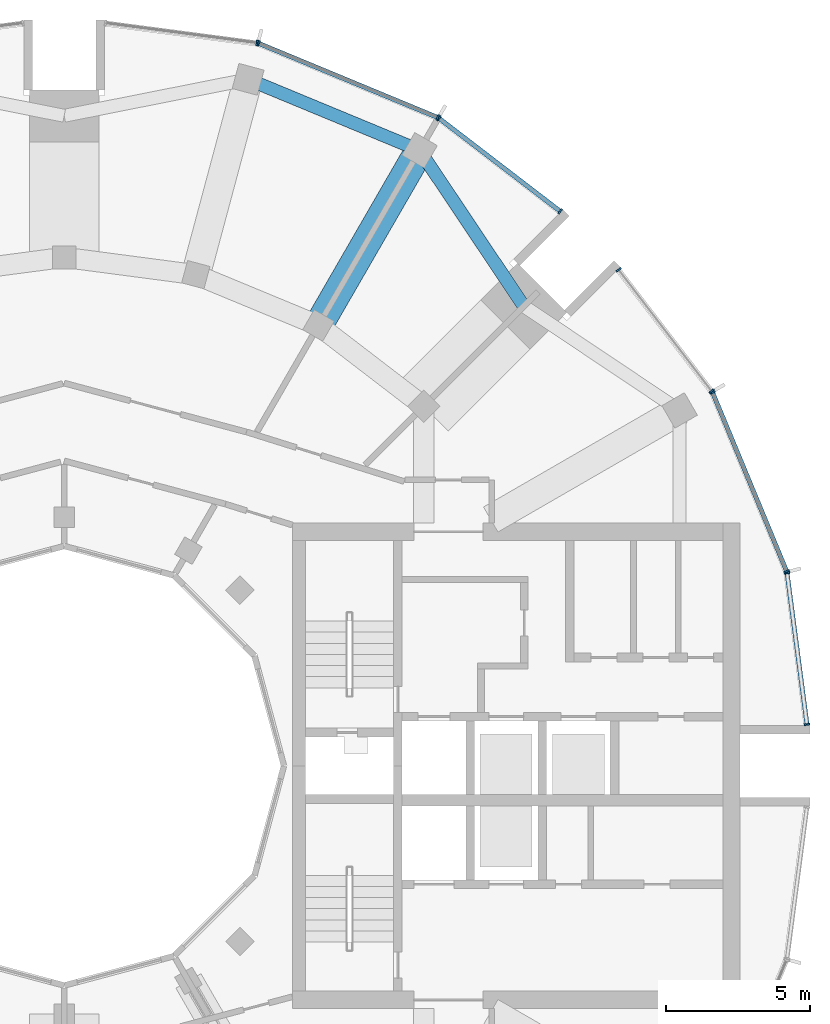
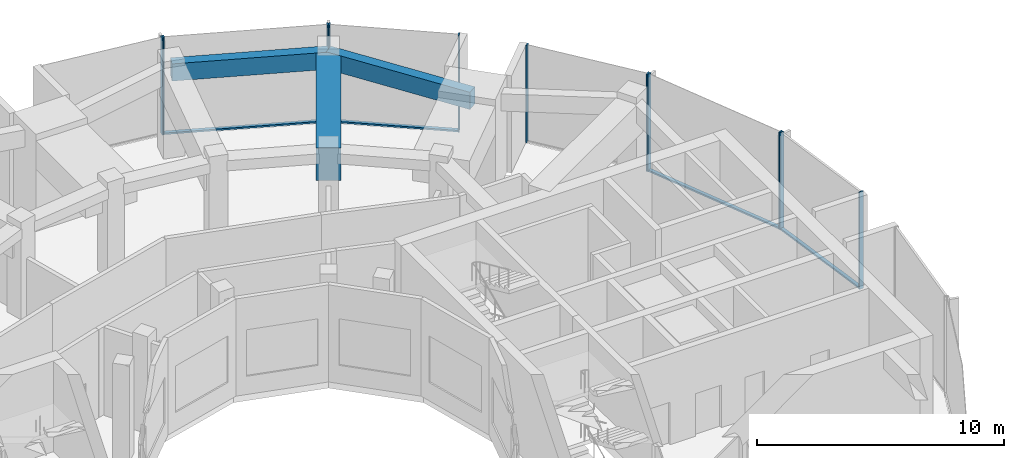
# One storey, part 8 of 17: 15 members, 3 beams, 6 elements without a shape of their own.
"""IFC4 building model written with IfcOpenShell, lengths in metres."""

from ifc_helpers import new_model, si_unit, direction, frame, origin, origin_2d, place, context, subcontext, project, spatial, rectangle, extrude, material, layer, layer_set, material_profile, profile_set, type_object, element, aggregate, save


model = new_model("IFC4")

# Units and contexts
model_context = context("Model", 3, precision=1e-05, world=origin(), true_north=direction((0.0, 1.0)))
body_context = subcontext(model_context, "Body", "Model", "MODEL_VIEW")
ifc_project = project(units=[si_unit("LENGTHUNIT", "METRE"), si_unit("AREAUNIT", "SQUARE_METRE"), si_unit("VOLUMEUNIT", "CUBIC_METRE"), si_unit("PLANEANGLEUNIT", "RADIAN"), si_unit("MASSUNIT", "GRAM", prefix="KILO")], contexts=[model_context])

# Site, building, storey
site_placement = place(None, origin())
site = spatial("IfcSite", under=ifc_project, at=site_placement, CompositionType="ELEMENT")
building_placement = place(site_placement, origin())
building = spatial("IfcBuilding", under=site, at=building_placement, Name="Torre Brocal", CompositionType="ELEMENT")
storey_placement = place(building_placement, frame((0.0, 0.0, 270.89990234375)))
storey = spatial("IfcBuildingStorey", under=building, at=storey_placement, Name="L62", CompositionType="ELEMENT", Elevation=270.89990234375)

# Curtain wall, members
ifc_material_1 = material(Name="Aluminium and glass", Category="aluminium")
ifc_layer_1 = layer(ifc_material_1, 0.199951171875)
ifc_layer_set_1 = layer_set([ifc_layer_1], Name="Aluminium and glass")
curtain_wall_type_1 = type_object("IfcCurtainWallType", Name="CW-1 CURTAIN WALL 4800 HIGH", PredefinedType="NOTDEFINED", material=ifc_layer_set_1)
curtain_wall_1_placement = place(storey_placement, origin())
curtain_wall_1 = element("IfcCurtainWall", 1, at=curtain_wall_1_placement, inside=storey, type_object=curtain_wall_type_1, Name="CW-1 RUN 2", PredefinedType="NOTDEFINED")
ifc_material_2 = material(Name="Aluminium, dark anodised", Category="aluminium")
ifc_material_profile_1 = material_profile(ifc_material_2, rectangle(XDim=0.199951171875, YDim=0.06005859375, at=origin_2d()), Name="CW-1 MULLION 60X200")
ifc_profile_set_1 = profile_set([ifc_material_profile_1], Name="Aluminium, dark anodised")
member_type_1 = type_object("IfcMemberType", Name="CW-1 MULLION 60X200", PredefinedType="MULLION", material=ifc_profile_set_1)
member_1_placement = place(storey_placement, frame((105.005126953125, 81.73095703125, 0.0), z_axis=(0.0, 0.0, 1.0), x_axis=(-0.923879532525, -0.382683432333, 0.0)))
member_1 = element("IfcMember", 2, at=member_1_placement, type_object=member_type_1, Name="CW1-7 mullion 1", PredefinedType="MULLION", context=body_context, shape_type="SweptSolid", body=[
    extrude(rectangle(XDim=0.199951171875, YDim=0.06005859375, at=origin_2d()), origin(), (0.0, 0.0, 1.0), 4.800048828125),
])
member_2_placement = place(storey_placement, frame((102.440673828125, 87.921875, 0.0), z_axis=(0.0, 0.0, 1.0), x_axis=(-0.923879532525, -0.382683432333, 0.0)))
member_2 = element("IfcMember", 3, at=member_2_placement, type_object=member_type_1, Name="CW1-7 mullion 2", PredefinedType="MULLION", context=body_context, shape_type="SweptSolid", body=[
    extrude(rectangle(XDim=0.199951171875, YDim=0.06005859375, at=origin_2d()), origin(), (0.0, 0.0, 1.0), 4.800048828125),
])

curtain_wall_2_placement = place(storey_placement, origin())
curtain_wall_2 = element("IfcCurtainWall", 4, at=curtain_wall_2_placement, inside=storey, type_object=curtain_wall_type_1, Name="CW-1 RUN 3", PredefinedType="NOTDEFINED")
member_3_placement = place(storey_placement, frame((102.4111328125, 87.973388671875, 0.0), z_axis=(0.0, 0.0, 1.0), x_axis=(-0.793353340259, -0.60876142905, 0.0)))
member_3 = element("IfcMember", 5, at=member_3_placement, type_object=member_type_1, Name="CW1-7 mullion 1", PredefinedType="MULLION", context=body_context, shape_type="SweptSolid", body=[
    extrude(rectangle(XDim=0.199951171875, YDim=0.06005859375, at=origin_2d()), origin(), (0.0, 0.0, 1.0), 4.800048828125),
])
member_4_placement = place(storey_placement, frame((99.19140625, 92.16943359375, 0.0), z_axis=(0.0, 0.0, 1.0), x_axis=(-0.793353340259, -0.60876142905, 0.0)))
member_4 = element("IfcMember", 6, at=member_4_placement, type_object=member_type_1, Name="CW1-7 mullion 2", PredefinedType="MULLION", context=body_context, shape_type="SweptSolid", body=[
    extrude(rectangle(XDim=0.199951171875, YDim=0.06005859375, at=origin_2d()), origin(), (0.0, 0.0, 1.0), 4.800048828125),
])
aggregate(curtain_wall_2, [member_3, member_4])

curtain_wall_3_placement = place(storey_placement, origin())
curtain_wall_3 = element("IfcCurtainWall", 7, at=curtain_wall_3_placement, inside=storey, type_object=curtain_wall_type_1, Name="CW-1 RUN 4", PredefinedType="NOTDEFINED")
member_5_placement = place(storey_placement, frame((97.16943359375, 94.19140625, 0.0), z_axis=(0.0, 0.0, 1.0), x_axis=(-0.60876142905, -0.793353340259, 0.0)))
member_5 = element("IfcMember", 8, at=member_5_placement, type_object=member_type_1, Name="CW1-7 mullion 1", PredefinedType="MULLION", context=body_context, shape_type="SweptSolid", body=[
    extrude(rectangle(XDim=0.199951171875, YDim=0.06005859375, at=origin_2d()), origin(), (0.0, 0.0, 1.0), 4.800048828125),
])
member_6_placement = place(storey_placement, frame((92.973388671875, 97.4111328125, 0.0), z_axis=(0.0, 0.0, 1.0), x_axis=(-0.60876142905, -0.793353340259, 0.0)))
member_6 = element("IfcMember", 9, at=member_6_placement, type_object=member_type_1, Name="CW1-7 mullion 2", PredefinedType="MULLION", context=body_context, shape_type="SweptSolid", body=[
    extrude(rectangle(XDim=0.199951171875, YDim=0.06005859375, at=origin_2d()), origin(), (0.0, 0.0, 1.0), 4.800048828125),
])

curtain_wall_4_placement = place(storey_placement, origin())
curtain_wall_4 = element("IfcCurtainWall", 10, at=curtain_wall_4_placement, inside=storey, type_object=curtain_wall_type_1, Name="CW-1 RUN 5", PredefinedType="NOTDEFINED")
member_7_placement = place(storey_placement, frame((92.921875, 97.440673828125, 0.0), z_axis=(0.0, 0.0, 1.0), x_axis=(-0.382683432333, -0.923879532525, 0.0)))
member_7 = element("IfcMember", 11, at=member_7_placement, type_object=member_type_1, Name="CW1-7 mullion 1", PredefinedType="MULLION", context=body_context, shape_type="SweptSolid", body=[
    extrude(rectangle(XDim=0.199951171875, YDim=0.06005859375, at=origin_2d()), origin(), (0.0, 0.0, 1.0), 4.800048828125),
])
member_8_placement = place(storey_placement, frame((86.73095703125, 100.005126953125, 0.0), z_axis=(0.0, 0.0, 1.0), x_axis=(-0.382683432333, -0.923879532525, 0.0)))
member_8 = element("IfcMember", 12, at=member_8_placement, type_object=member_type_1, Name="CW1-7 mullion 2", PredefinedType="MULLION", context=body_context, shape_type="SweptSolid", body=[
    extrude(rectangle(XDim=0.199951171875, YDim=0.06005859375, at=origin_2d()), origin(), (0.0, 0.0, 1.0), 4.800048828125),
])

# Curtain wall, member
curtain_wall_5_placement = place(storey_placement, origin())
curtain_wall_5 = element("IfcCurtainWall", 13, at=curtain_wall_5_placement, inside=storey, type_object=curtain_wall_type_1, Name="CW-1 RUN 6", PredefinedType="NOTDEFINED")
member_9_placement = place(storey_placement, frame((86.67333984375, 100.0205078125, 0.0), z_axis=(0.0, 0.0, 1.0), x_axis=(-0.13052619222, -0.991444861374, 0.0)))
member_9 = element("IfcMember", 14, at=member_9_placement, type_object=member_type_1, Name="CW1-7 mullion 1", PredefinedType="MULLION", context=body_context, shape_type="SweptSolid", body=[
    extrude(rectangle(XDim=0.199951171875, YDim=0.06005859375, at=origin_2d()), origin(), (0.0, 0.0, 1.0), 4.800048828125),
])
aggregate(curtain_wall_5, [member_9])

# Member
ifc_material_3 = material(Name="Aluminium, dark anodised", Category="aluminium")
ifc_material_profile_2 = material_profile(ifc_material_3, rectangle(XDim=0.159912109375, YDim=0.080078125, at=origin_2d()), Name="CW-1 TRANSOM 160X80")
ifc_profile_set_2 = profile_set([ifc_material_profile_2], Name="Aluminium, dark anodised")
member_type_2 = type_object("IfcMemberType", Name="CW-1 TRANSOM 160X80", PredefinedType="USERDEFINED", material=ifc_profile_set_2)
member_10_placement = place(storey_placement, frame((104.99365234375, 81.758544921875, 0.0400390625), z_axis=(-0.38266457234, 0.923887344364, 0.0), x_axis=(-0.923887344364, -0.38266457234, 0.0)))
member_10 = element("IfcMember", 15, at=member_10_placement, type_object=member_type_2, Name="CW1-7 transom 1.1", ObjectType="TRANSOM", PredefinedType="USERDEFINED", context=body_context, shape_type="SweptSolid", body=[
    extrude(rectangle(XDim=0.159912109375, YDim=0.080078125, at=origin_2d()), origin(), (0.0, 0.0, 1.0), 6.640869140625),
])

aggregate(curtain_wall_1, [member_1, member_2, member_10])

member_11_placement = place(storey_placement, frame((97.1455078125, 94.209716796875, 0.0400390625), z_axis=(-0.79336281513, 0.60874908096, 0.0), x_axis=(-0.60874908096, -0.79336281513, 0.0)))
member_11 = element("IfcMember", 16, at=member_11_placement, type_object=member_type_2, Name="CW1-7 transom 1.1", ObjectType="TRANSOM", PredefinedType="USERDEFINED", context=body_context, shape_type="SweptSolid", body=[
    extrude(rectangle(XDim=0.159912109375, YDim=0.080078125, at=origin_2d()), origin(), (0.0, 0.0, 1.0), 5.22900390625),
])

aggregate(curtain_wall_3, [member_5, member_6, member_11])

member_12_placement = place(storey_placement, frame((92.89404296875, 97.452392578125, 0.0400390625), z_axis=(-0.923887344364, 0.38266457234, 0.0), x_axis=(-0.38266457234, -0.923887344364, 0.0)))
member_12 = element("IfcMember", 17, at=member_12_placement, type_object=member_type_2, Name="CW1-7 transom 1.1", ObjectType="TRANSOM", PredefinedType="USERDEFINED", context=body_context, shape_type="SweptSolid", body=[
    extrude(rectangle(XDim=0.159912109375, YDim=0.080078125, at=origin_2d()), origin(), (0.0, 0.0, 1.0), 6.640869140625),
])

aggregate(curtain_wall_4, [member_7, member_8, member_12])

# Curtain wall, members
ifc_material_4 = material(Name="Aluminium and glass", Category="aluminium")
ifc_layer_2 = layer(ifc_material_4, 0.199951171875)
ifc_layer_set_2 = layer_set([ifc_layer_2], Name="Aluminium and glass")
curtain_wall_type_2 = type_object("IfcCurtainWallType", Name="CW-1B CURTAIN WALL 4800 HIGH", PredefinedType="NOTDEFINED", material=ifc_layer_set_2)
curtain_wall_6_placement = place(storey_placement, origin())
curtain_wall_6 = element("IfcCurtainWall", 18, at=curtain_wall_6_placement, inside=storey, type_object=curtain_wall_type_2, Name="CW-1B RUN 1", PredefinedType="NOTDEFINED")
ifc_material_5 = material(Name="Aluminium, dark anodised", Category="aluminium")
ifc_material_profile_3 = material_profile(ifc_material_5, rectangle(XDim=0.199951171875, YDim=0.06005859375, at=origin_2d()), Name="CW-1B MULLION 60X200")
ifc_profile_set_3 = profile_set([ifc_material_profile_3], Name="Aluminium, dark anodised")
member_type_3 = type_object("IfcMemberType", Name="CW-1B MULLION 60X200", PredefinedType="MULLION", material=ifc_profile_set_3)
member_13_placement = place(storey_placement, frame((105.7109375, 76.4296875, 0.0), z_axis=(0.0, 0.0, 1.0), x_axis=(-0.991444861374, -0.13052619222, 0.0)))
member_13 = element("IfcMember", 19, at=member_13_placement, type_object=member_type_3, Name="CW1B-6 mullion 1", PredefinedType="MULLION", context=body_context, shape_type="SweptSolid", body=[
    extrude(rectangle(XDim=0.199951171875, YDim=0.06005859375, at=origin_2d()), origin(), (0.0, 0.0, 1.0), 4.800048828125),
])
member_14_placement = place(storey_placement, frame((105.0205078125, 81.67333984375, 0.0), z_axis=(0.0, 0.0, 1.0), x_axis=(-0.991444861374, -0.13052619222, 0.0)))
member_14 = element("IfcMember", 20, at=member_14_placement, type_object=member_type_3, Name="CW1B-6 mullion 2", PredefinedType="MULLION", context=body_context, shape_type="SweptSolid", body=[
    extrude(rectangle(XDim=0.199951171875, YDim=0.06005859375, at=origin_2d()), origin(), (0.0, 0.0, 1.0), 4.800048828125),
])
ifc_material_6 = material(Name="Aluminium, dark anodised", Category="aluminium")
ifc_material_profile_4 = material_profile(ifc_material_6, rectangle(XDim=0.159912109375, YDim=0.080078125, at=origin_2d()), Name="CW-1B TRANSOM 160X80")
ifc_profile_set_4 = profile_set([ifc_material_profile_4], Name="Aluminium, dark anodised")
member_type_4 = type_object("IfcMemberType", Name="CW-1B TRANSOM 160X80", PredefinedType="USERDEFINED", material=ifc_profile_set_4)
member_15_placement = place(storey_placement, frame((105.70703125, 76.45947265625, 0.0400390625), z_axis=(-0.130542677827, 0.991442690863, 0.0), x_axis=(-0.991442690863, -0.130542677827, 0.0)))
member_15 = element("IfcMember", 21, at=member_15_placement, type_object=member_type_4, Name="CW1B-6 transom 1.1", ObjectType="TRANSOM", PredefinedType="USERDEFINED", context=body_context, shape_type="SweptSolid", body=[
    extrude(rectangle(XDim=0.159912109375, YDim=0.080078125, at=origin_2d()), origin(), (0.0, 0.0, 1.0), 5.22900390625),
])
aggregate(curtain_wall_6, [member_13, member_14, member_15])

# Beams
ifc_material_7 = material(Name="Concrete C50", Category="concrete")
ifc_material_profile_5 = material_profile(ifc_material_7, rectangle(XDim=0.449951171875, YDim=0.85009765625, at=origin_2d()), Name="RC 450X850")
ifc_profile_set_5 = profile_set([ifc_material_profile_5], Name="Concrete C50")
beam_type_1 = type_object("IfcBeamType", Name="RC SPANDREL BEAM 450X850 C50 TOP 4480", PredefinedType="SPANDREL", material=ifc_profile_set_5)
beam_1_placement = place(storey_placement, frame((95.909912109375, 90.909912109375, 4.05517578125), z_axis=(-0.556157602282, 0.831076844476, 0.0), x_axis=(-0.831076844476, -0.556157602282, 0.0)))
element("IfcBeam", 22, at=beam_1_placement, inside=storey, type_object=beam_type_1, Name="Beam BT-46", PredefinedType="SPANDREL", context=body_context, shape_type="SweptSolid", body=[
    extrude(rectangle(XDim=0.449951171875, YDim=0.85009765625, at=origin_2d()), origin(), (0.0, 0.0, 1.0), 6.49072265625),
])
beam_2_placement = place(storey_placement, frame((92.300048828125, 96.30419921875, 4.05517578125), z_axis=(-0.923882462513, 0.382676358639, 0.0), x_axis=(-0.382676358639, -0.923882462513, 0.0)))
element("IfcBeam", 23, at=beam_2_placement, inside=storey, type_object=beam_type_1, Name="Beam BT-46", PredefinedType="SPANDREL", context=body_context, shape_type="SweptSolid", body=[
    extrude(rectangle(XDim=0.449951171875, YDim=0.85009765625, at=origin_2d()), origin(), (0.0, 0.0, 1.0), 6.421875),
])
ifc_material_8 = material(Name="Concrete C60", Category="concrete")
ifc_material_profile_6 = material_profile(ifc_material_8, rectangle(XDim=1.0, YDim=1.60009765625, at=origin_2d()), Name="RC 1000X1600")
ifc_profile_set_6 = profile_set([ifc_material_profile_6], Name="Concrete C60")
beam_type_2 = type_object("IfcBeamType", Name="RC TRANSFER GIRDER 1000X1600 C60 TOP 4480", PredefinedType="BEAM", material=ifc_profile_set_6)
beam_3_placement = place(storey_placement, frame((88.800048828125, 90.241943359375, 3.68017578125), z_axis=(0.499995173006, 0.866028190633, 0.0), x_axis=(-0.866028190633, 0.499995173006, 0.0)))
element("IfcBeam", 24, at=beam_3_placement, inside=storey, type_object=beam_type_2, Name="Beam TG-05", PredefinedType="BEAM", context=body_context, shape_type="SweptSolid", body=[
    extrude(rectangle(XDim=1.0, YDim=1.60009765625, at=origin_2d()), origin(), (0.0, 0.0, 1.0), 7.0),
])

save(model, "model.ifc")
